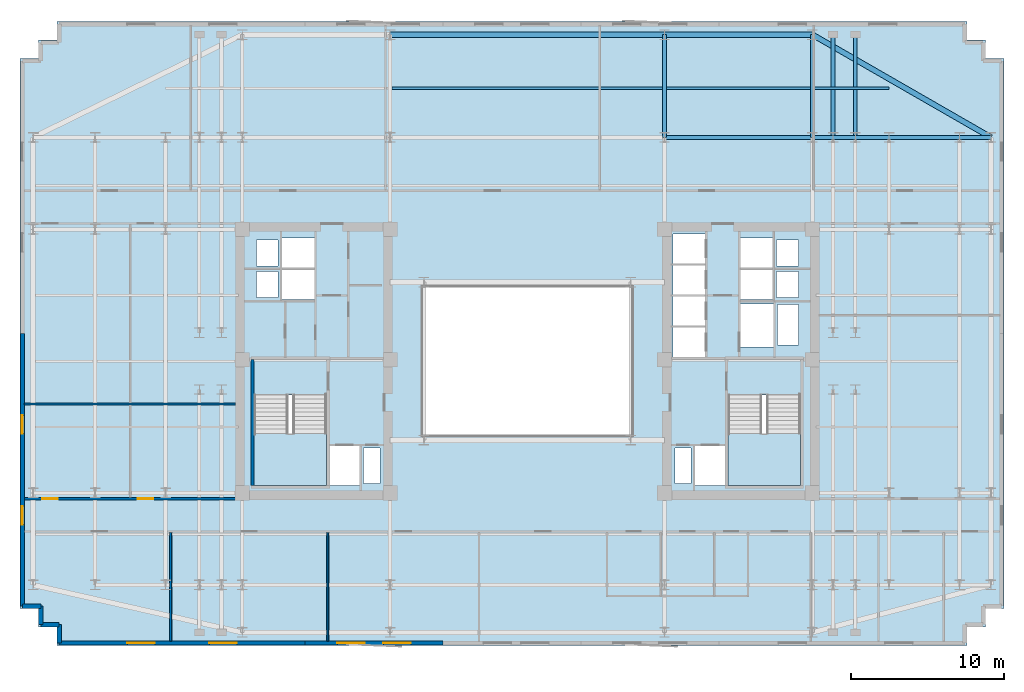
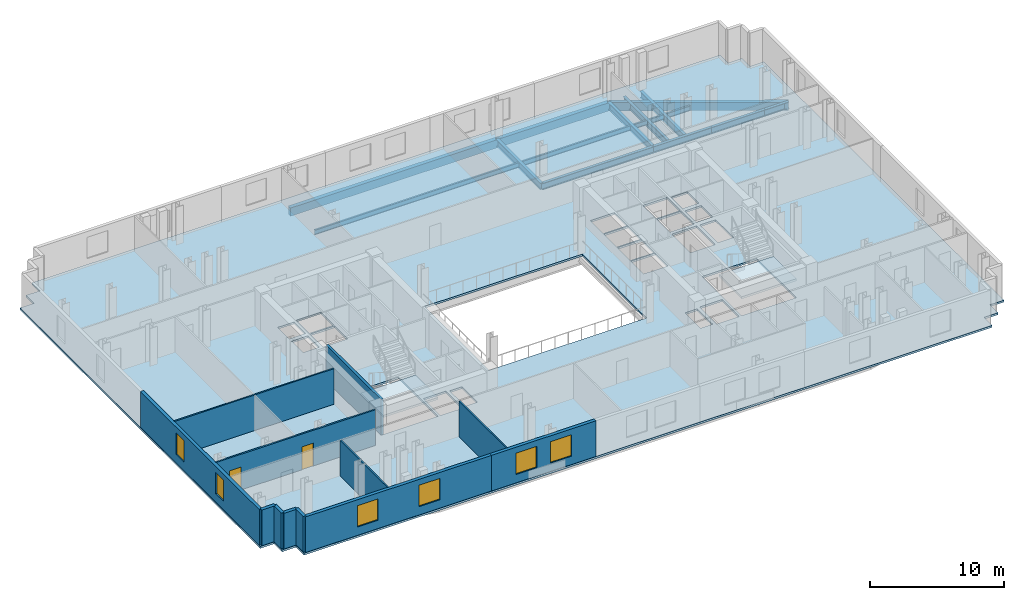
# One storey, part 3 of 9: 14 beams, 12 walls, 6 windows, 3 slabs, 2 doors, 8 openings, 2 elements without a shape of their own.
"""IFC4 building model written with IfcOpenShell, lengths in metres."""

import ifcopenshell
import ifcopenshell.guid

model = None  # the IFC model being written
_history = None  # IfcOwnerHistory: only IFC2X3 demands one
_inside = {}  # id of a spatial element -> (the spatial element, [elements in it])
_under = {}  # id of a project, library or spatial element -> (it, [spatial elements below it])
_declared = {}  # id of a project -> (the project, [libraries it declares])
_typed = {}  # id of a type object -> (the type object, [elements of that type])
_made_of = {}  # id of a material, layer set ... -> (it, [elements and type objects made of it])


def new_model(schema):
    """Start an empty IFC model of exactly this schema.

    Asked for "IFC4X3", IfcOpenShell would pick the latest addendum, in which some entities
    have other attributes; the version numbers below select the first issue.
    IFC2X3 requires an IfcOwnerHistory on every rooted entity: one is made here for all.
    """
    global model, _history
    if schema == "IFC4X3":
        model = ifcopenshell.file(schema_version=(4, 3, 0, 0))
    else:
        model = ifcopenshell.file(schema=schema)
    _inside.clear()
    _under.clear()
    _declared.clear()
    _typed.clear()
    _made_of.clear()
    _history = None
    if model.schema == "IFC2X3":
        org = make("IfcOrganization", Name="unknown")
        user = make(
            "IfcPersonAndOrganization",
            ThePerson=make("IfcPerson", FamilyName="unknown"),
            TheOrganization=org,
        )
        app = make(
            "IfcApplication",
            ApplicationDeveloper=org,
            Version="unknown",
            ApplicationFullName="unknown",
            ApplicationIdentifier="unknown",
        )
        _history = make(
            "IfcOwnerHistory",
            OwningUser=user,
            OwningApplication=app,
            ChangeAction="ADDED",
            CreationDate=0,
        )
    return model


def make(cls, **values):
    """One entity of the class cls with the attributes given. An attribute that is None is left unset."""
    return model.create_entity(
        cls, **{name: value for name, value in values.items() if value is not None}
    )


def rooted(cls, **values):
    """An entity with a GlobalId (a new one), such as an element, a storey or a relation."""
    return make(cls, GlobalId=ifcopenshell.guid.new(), OwnerHistory=_history, **values)


def si_unit(unit_type, name, prefix=None):
    """IfcSIUnit, for example si_unit("LENGTHUNIT", "METRE", prefix="MILLI")."""
    return make("IfcSIUnit", UnitType=unit_type, Prefix=prefix, Name=name)


def assignment(units):
    """IfcUnitAssignment: the units of a project."""
    return None if units is None else make("IfcUnitAssignment", Units=units)


def point(xyz):
    """IfcCartesianPoint."""
    return None if xyz is None else make("IfcCartesianPoint", Coordinates=xyz)


def direction(xyz):
    """IfcDirection."""
    return None if xyz is None else make("IfcDirection", DirectionRatios=xyz)


def frame(location, z_axis=None, x_axis=None):
    """IfcAxis2Placement3D, a coordinate frame: its origin and axes. An axis left out is left unset."""
    return make(
        "IfcAxis2Placement3D",
        Location=point(location),
        Axis=direction(z_axis),
        RefDirection=direction(x_axis),
    )


def frame_2d(location, x_axis=None):
    """IfcAxis2Placement2D, a coordinate frame in the plane: its origin and x axis."""
    return make(
        "IfcAxis2Placement2D", Location=point(location), RefDirection=direction(x_axis)
    )


def origin():
    """The frame at (0, 0, 0) with its axes left unset."""
    return frame((0.0, 0.0, 0.0))


def origin_2d():
    """The frame at (0, 0) in the plane with its x axis left unset."""
    return frame_2d((0.0, 0.0))


def place(relative_to, where):
    """IfcLocalPlacement: puts the frame where relative to a parent placement (None: the world)."""
    return make(
        "IfcLocalPlacement", PlacementRelTo=relative_to, RelativePlacement=where
    )


def context(
    kind, dimensions, precision=None, world=None, true_north=None, identifier=None
):
    """IfcGeometricRepresentationContext, for example the 3D "Model" context."""
    return make(
        "IfcGeometricRepresentationContext",
        ContextIdentifier=identifier,
        ContextType=kind,
        CoordinateSpaceDimension=dimensions,
        Precision=precision,
        WorldCoordinateSystem=world,
        TrueNorth=true_north,
    )


def subcontext(parent, identifier, kind, view, scale=None):
    """IfcGeometricRepresentationSubContext, for example "Body" below "Model"."""
    return make(
        "IfcGeometricRepresentationSubContext",
        ContextIdentifier=identifier,
        ContextType=kind,
        ParentContext=parent,
        TargetScale=scale,
        TargetView=view,
    )


def project(units=None, contexts=None):
    """IfcProject with its units and contexts."""
    return rooted(
        "IfcProject",
        Name="project",
        RepresentationContexts=contexts,
        UnitsInContext=assignment(units),
    )


def spatial(cls, under=None, at=None, **own):
    """A site, building, storey or space (cls), placed at a placement, below another one or the project."""
    s = rooted(cls, ObjectPlacement=at, **own)
    if under is not None:
        _under.setdefault(under.id(), (under, []))[1].append(s)
    return s


def polyline(points):
    """IfcPolyline through the points."""
    return make("IfcPolyline", Points=[point(p) for p in points])


def profile(cls, at=None, kind="AREA", **sizes):
    """A parametric profile (cls). Its sizes go by their IFC names, for example OverallWidth=200.0."""
    return make(cls, ProfileType=kind, Position=at, **sizes)


def rectangle(**sizes):
    """IfcRectangleProfileDef."""
    return profile("IfcRectangleProfileDef", **sizes)


def i_section(**sizes):
    """IfcIShapeProfileDef."""
    return profile("IfcIShapeProfileDef", **sizes)


def outline(outer, holes=None, kind="AREA"):
    """IfcArbitraryClosedProfileDef: a profile drawn as a closed curve; with holes, ...WithVoids."""
    if holes is None:
        return make("IfcArbitraryClosedProfileDef", ProfileType=kind, OuterCurve=outer)
    return make(
        "IfcArbitraryProfileDefWithVoids",
        ProfileType=kind,
        OuterCurve=outer,
        InnerCurves=holes,
    )


def extrude(swept, where, along, depth):
    """IfcExtrudedAreaSolid: the profile swept, set in the frame where, extruded along a direction by depth."""
    return make(
        "IfcExtrudedAreaSolid",
        SweptArea=swept,
        Position=where,
        ExtrudedDirection=direction(along),
        Depth=depth,
    )


def shape(context_of_items, identifier, shape_type, items):
    """IfcShapeRepresentation: the items that make up one representation, for example the "Body"."""
    return make(
        "IfcShapeRepresentation",
        ContextOfItems=context_of_items,
        RepresentationIdentifier=identifier,
        RepresentationType=shape_type,
        Items=items,
    )


def material(Name=None, Category=None):
    """IfcMaterial."""
    return make("IfcMaterial", Name=Name, Category=Category)


def layer(
    of_material, thickness, ventilated=None, Name=None, Category=None, Priority=None
):
    """IfcMaterialLayer: one layer of a wall or slab, of a material (None: an air gap)."""
    return make(
        "IfcMaterialLayer",
        Material=of_material,
        LayerThickness=thickness,
        IsVentilated=ventilated,
        Name=Name,
        Category=Category,
        Priority=Priority,
    )


def layer_set(layers, Name=None):
    """IfcMaterialLayerSet."""
    return make("IfcMaterialLayerSet", MaterialLayers=layers, LayerSetName=Name)


def material_profile(
    of_material, cross_section, Name=None, Category=None, Priority=None
):
    """IfcMaterialProfile: a cross section and its material."""
    return make(
        "IfcMaterialProfile",
        Name=Name,
        Material=of_material,
        Profile=cross_section,
        Priority=Priority,
        Category=Category,
    )


def profile_set(profiles, Name=None, composite=None):
    """IfcMaterialProfileSet."""
    return make(
        "IfcMaterialProfileSet",
        Name=Name,
        MaterialProfiles=profiles,
        CompositeProfile=composite,
    )


def made_of(thing, what):
    """Note that an element or type object is made of a material, layer set ...; save() writes the relation."""
    if what is not None:
        _made_of.setdefault(what.id(), (what, []))[1].append(thing)
    return thing


def type_object(cls, material=None, **own):
    """A type object (cls), such as IfcWallType, which elements share."""
    return made_of(rooted(cls, **own), material)


def element(
    cls,
    number,
    at=None,
    inside=None,
    cuts=None,
    type_object=None,
    material=None,
    context=None,
    identifier="Body",
    shape_type=None,
    held_by="IfcProductDefinitionShape",
    body=None,
    shapes=None,
    **own,
):
    """One element of the class cls, such as IfcWall. Its Tag is "e" and its number.

    at: its placement. inside: the storey or other place that contains it. cuts: it is an
    opening in that element (IfcRelVoidsElement). A single representation is given by context,
    identifier, shape_type and body (its items); several are given by shapes. held_by: the class
    of the entity that holds the representations. save() writes the other relations.
    """
    e = rooted(cls, Tag="e%d" % number, ObjectPlacement=at, **own)
    if body is not None:
        shapes = [shape(context, identifier, shape_type, body)]
    if shapes is not None:
        e.Representation = make(held_by, Representations=shapes)
    if inside is not None:
        _inside.setdefault(inside.id(), (inside, []))[1].append(e)
    if cuts is not None:
        rooted(
            "IfcRelVoidsElement", RelatingBuildingElement=cuts, RelatedOpeningElement=e
        )
    if type_object is not None:
        _typed.setdefault(type_object.id(), (type_object, []))[1].append(e)
    return made_of(e, material)


def fill(opening, filler):
    """IfcRelFillsElement: the door or window that sits in an opening."""
    return rooted(
        "IfcRelFillsElement",
        RelatingOpeningElement=opening,
        RelatedBuildingElement=filler,
    )


def aggregate(whole, parts):
    """IfcRelAggregates: a whole, such as a stair, and the parts it consists of."""
    return rooted("IfcRelAggregates", RelatingObject=whole, RelatedObjects=parts)


def save(model, path):
    """Write the relations noted so far, then the file.

    IfcRelAggregates (storeys below a building ...), IfcRelContainedInSpatialStructure (elements
    in a storey), IfcRelDefinesByType, IfcRelAssociatesMaterial and IfcRelDeclares: one each for
    every whole, place, type object, material and project.
    """
    for whole, parts in _under.values():
        aggregate(whole, parts)
    for where, things in _inside.values():
        rooted(
            "IfcRelContainedInSpatialStructure",
            RelatedElements=things,
            RelatingStructure=where,
        )
    for kind, things in _typed.values():
        rooted("IfcRelDefinesByType", RelatedObjects=things, RelatingType=kind)
    for what, things in _made_of.values():
        rooted("IfcRelAssociatesMaterial", RelatedObjects=things, RelatingMaterial=what)
    for by, libraries in _declared.values():
        rooted("IfcRelDeclares", RelatingContext=by, RelatedDefinitions=libraries)
    model.write(path)


model = new_model("IFC4")

# Units and contexts
model_context = context("Model", 3, precision=1e-05, world=origin(), true_north=direction((0.0, 1.0)))
body_context = subcontext(model_context, "Body", "Model", "MODEL_VIEW")
ifc_project = project(units=[si_unit("LENGTHUNIT", "METRE"), si_unit("AREAUNIT", "SQUARE_METRE"), si_unit("VOLUMEUNIT", "CUBIC_METRE"), si_unit("PLANEANGLEUNIT", "RADIAN"), si_unit("MASSUNIT", "GRAM", prefix="KILO")], contexts=[model_context])

# Site, building, storey
site_placement = place(None, origin())
site = spatial("IfcSite", under=ifc_project, at=site_placement, CompositionType="ELEMENT")
building_placement = place(site_placement, origin())
building = spatial("IfcBuilding", under=site, at=building_placement, Name="Velakula Bourse", CompositionType="ELEMENT")
storey_placement = place(building_placement, frame((0.0, 0.0, 131.199951171875)))
storey = spatial("IfcBuildingStorey", under=building, at=storey_placement, Name="L35", CompositionType="ELEMENT", Elevation=131.199951171875)

# Beams
ifc_material_1 = material(Name="Steel IS 2062 Grade 350 (E350)", Category="steel")
ifc_material_profile_1 = material_profile(ifc_material_1, i_section(OverallWidth=0.25, OverallDepth=0.60009765625, WebThickness=0.01123046875, FlangeThickness=0.021240234375, at=origin_2d()), Name="Steel IS 2062 Grade 350 (E350)")
ifc_profile_set_1 = profile_set([ifc_material_profile_1], Name="Steel IS 2062 Grade 350 (E350)")
beam_type_1 = type_object("IfcBeamType", Name="BM-GRD-600M", PredefinedType="BEAM", material=ifc_profile_set_1)
beam_1_placement = place(storey_placement, frame((8.949951171875, 14.60009765625, -0.47998046875), z_axis=(1.0, 0.0, 0.0), x_axis=(0.0, 1.0, 0.0)))
element("IfcBeam", 1, at=beam_1_placement, inside=storey, type_object=beam_type_1, Name="L35 Fulcrum Grid Girder FLC-N3", PredefinedType="BEAM", context=body_context, shape_type="SweptSolid", body=[
    extrude(i_section(OverallWidth=0.25, OverallDepth=0.60009765625, WebThickness=0.01123046875, FlangeThickness=0.021240234375, at=origin_2d()), origin(), (0.0, 0.0, 1.0), 9.650146484375),
])
beam_2_placement = place(storey_placement, frame((18.60009765625, 14.60009765625, -0.47998046875), z_axis=(1.0, 0.0, 0.0), x_axis=(0.0, 1.0, 0.0)))
element("IfcBeam", 2, at=beam_2_placement, inside=storey, type_object=beam_type_1, Name="L35 Fulcrum Grid Girder MWG-EN2", PredefinedType="BEAM", context=body_context, shape_type="SweptSolid", body=[
    extrude(i_section(OverallWidth=0.25, OverallDepth=0.60009765625, WebThickness=0.01123046875, FlangeThickness=0.021240234375, at=origin_2d()), origin(), (0.0, 0.0, 1.0), 5.0),
])
beam_3_placement = place(storey_placement, frame((23.60009765625, 14.60009765625, -0.47998046875), z_axis=(1.0, 0.0, 0.0), x_axis=(0.0, 1.0, 0.0)))
element("IfcBeam", 3, at=beam_3_placement, inside=storey, type_object=beam_type_1, Name="L35 Fulcrum Grid Girder WNG-EN2", PredefinedType="BEAM", context=body_context, shape_type="SweptSolid", body=[
    extrude(i_section(OverallWidth=0.25, OverallDepth=0.60009765625, WebThickness=0.01123046875, FlangeThickness=0.021240234375, at=origin_2d()), origin(), (0.0, 0.0, 1.0), 4.599853515625),
])
for number, where, z_axis, x_axis, name in (
    (4, (8.949951171875, 14.60009765625, -0.47998046875), (0.0, 1.0, 0.0), (-1.0, 0.0, 0.0), "L35 Perimeter Tie Girder N3"),
    (5, (18.60009765625, 14.60009765625, -0.47998046875), (0.0, 1.0, 0.0), (-1.0, 0.0, 0.0), "L35 Perimeter Tie Girder N4"),
):
    element("IfcBeam", number, at=place(storey_placement, frame(where, z_axis=z_axis, x_axis=x_axis)), inside=storey, type_object=beam_type_1, Name=name, PredefinedType="BEAM", context=body_context, shape_type="SweptSolid", body=[
        extrude(i_section(OverallWidth=0.25, OverallDepth=0.60009765625, WebThickness=0.01123046875, FlangeThickness=0.021240234375, at=origin_2d()), origin(), (0.0, 0.0, 1.0), 6.699951171875),
    ])
beam_4_placement = place(storey_placement, frame((28.199951171875, 14.60009765625, -0.47998046875), z_axis=(1.0, 0.0, 0.0), x_axis=(0.0, 1.0, 0.0)))
element("IfcBeam", 6, at=beam_4_placement, inside=storey, type_object=beam_type_1, Name="L35 Perimeter Tie Girder E4", PredefinedType="BEAM", context=body_context, shape_type="SweptSolid", body=[
    extrude(i_section(OverallWidth=0.25, OverallDepth=0.60009765625, WebThickness=0.01123046875, FlangeThickness=0.021240234375, at=origin_2d()), origin(), (0.0, 0.0, 1.0), 2.050048828125),
])
for number, where, z_axis, x_axis, name in (
    (7, (19.949951171875, 14.60009765625, -0.47998046875), (0.0, 1.0, 0.0), (-1.0, 0.0, 0.0), "L35 Perimeter Tie Girder P07"),
    (8, (21.39990234375, 14.60009765625, -0.47998046875), (0.0, 1.0, 0.0), (-1.0, 0.0, 0.0), "L35 Perimeter Tie Girder P08"),
):
    element("IfcBeam", number, at=place(storey_placement, frame(where, z_axis=z_axis, x_axis=x_axis)), inside=storey, type_object=beam_type_1, Name=name, PredefinedType="BEAM", context=body_context, shape_type="SweptSolid", body=[
        extrude(i_section(OverallWidth=0.25, OverallDepth=0.60009765625, WebThickness=0.01123046875, FlangeThickness=0.021240234375, at=origin_2d()), origin(), (0.0, 0.0, 1.0), 6.699951171875),
    ])
ifc_material_profile_2 = material_profile(ifc_material_1, i_section(OverallWidth=0.14990234375, OverallDepth=0.449951171875, WebThickness=0.009521484375, FlangeThickness=0.017333984375, at=origin_2d()), Name="Steel IS 2062 Grade 350 (E350)")
ifc_profile_set_2 = profile_set([ifc_material_profile_2], Name="Steel IS 2062 Grade 350 (E350)")
beam_type_2 = type_object("IfcBeamType", Name="JST-TWR-450", PredefinedType="JOIST", material=ifc_profile_set_2)
beam_5_placement = place(storey_placement, frame((-8.824951171875, 17.800048828125, -0.405029296875), z_axis=(1.0, 0.0, 0.0), x_axis=(0.0, 1.0, 0.0)))
element("IfcBeam", 9, at=beam_5_placement, inside=storey, type_object=beam_type_2, Name="L35 Trading Floor Composite Joist 19", PredefinedType="JOIST", context=body_context, shape_type="SweptSolid", body=[
    extrude(i_section(OverallWidth=0.14990234375, OverallDepth=0.449951171875, WebThickness=0.009521484375, FlangeThickness=0.017333984375, at=origin_2d()), origin(), (0.0, 0.0, 1.0), 17.64990234375),
])
beam_6_placement = place(storey_placement, frame((9.074951171875, 17.800048828125, -0.405029296875), z_axis=(1.0, 0.0, 0.0), x_axis=(0.0, 1.0, 0.0)))
element("IfcBeam", 10, at=beam_6_placement, inside=storey, type_object=beam_type_2, Name="L35 Trading Floor Composite Joist 20", PredefinedType="JOIST", context=body_context, shape_type="SweptSolid", body=[
    extrude(i_section(OverallWidth=0.14990234375, OverallDepth=0.449951171875, WebThickness=0.009521484375, FlangeThickness=0.017333984375, at=origin_2d()), origin(), (0.0, 0.0, 1.0), 9.400146484375),
])
beam_7_placement = place(storey_placement, frame((18.72509765625, 17.800048828125, -0.405029296875), z_axis=(1.0, 0.0, 0.0), x_axis=(0.0, 1.0, 0.0)))
element("IfcBeam", 11, at=beam_7_placement, inside=storey, type_object=beam_type_2, Name="L35 Trading Floor Composite Joist 21", PredefinedType="JOIST", context=body_context, shape_type="SweptSolid", body=[
    extrude(i_section(OverallWidth=0.14990234375, OverallDepth=0.449951171875, WebThickness=0.009521484375, FlangeThickness=0.017333984375, at=origin_2d()), origin(), (0.0, 0.0, 1.0), 4.875),
])
ifc_material_2 = material(Name="Precast concrete M45 (fck 45 MPa)", Category="concrete")
ifc_material_profile_3 = material_profile(ifc_material_2, rectangle(XDim=0.35009765625, YDim=0.75, at=origin_2d()), Name="Precast concrete M45 (fck 45 MPa)")
ifc_profile_set_3 = profile_set([ifc_material_profile_3], Name="Precast concrete M45 (fck 45 MPa)")
beam_type_3 = type_object("IfcBeamType", Name="SPN-BRICK-750", PredefinedType="SPANDREL", material=ifc_profile_set_3)
beam_8_placement = place(storey_placement, frame((-8.949951171875, 21.300048828125, -0.554931640625), z_axis=(1.0, 0.0, 0.0), x_axis=(0.0, 1.0, 0.0)))
element("IfcBeam", 12, at=beam_8_placement, inside=storey, type_object=beam_type_3, Name="L35 Brick-Faced Precast Spandrel N2-N3", PredefinedType="SPANDREL", context=body_context, shape_type="SweptSolid", body=[
    extrude(rectangle(XDim=0.35009765625, YDim=0.75, at=origin_2d()), origin(), (0.0, 0.0, 1.0), 17.89990234375),
])
beam_9_placement = place(storey_placement, frame((8.949951171875, 21.300048828125, -0.554931640625), z_axis=(1.0, 0.0, 0.0), x_axis=(0.0, 1.0, 0.0)))
element("IfcBeam", 13, at=beam_9_placement, inside=storey, type_object=beam_type_3, Name="L35 Brick-Faced Precast Spandrel N3-N4", PredefinedType="SPANDREL", context=body_context, shape_type="SweptSolid", body=[
    extrude(rectangle(XDim=0.35009765625, YDim=0.75, at=origin_2d()), origin(), (0.0, 0.0, 1.0), 9.650146484375),
])
beam_10_placement = place(storey_placement, frame((30.25, 14.60009765625, -0.554931640625), z_axis=(-0.866865871572, 0.498541433286, 0.0), x_axis=(-0.498541433286, -0.866865871572, 0.0)))
element("IfcBeam", 14, at=beam_10_placement, inside=storey, type_object=beam_type_3, Name="L35 Brick-Faced Precast Spandrel E4-N4", PredefinedType="SPANDREL", context=body_context, shape_type="SweptSolid", body=[
    extrude(rectangle(XDim=0.35009765625, YDim=0.75, at=origin_2d()), origin(), (0.0, 0.0, 1.0), 13.439208984375),
])

# Stair, slab
ifc_material_3 = material(Name="Concrete M45 (fck 45 MPa)", Category="concrete")
stair_type = type_object("IfcStairType", Name="STR-DOG-390", PredefinedType="HALF_TURN_STAIR", material=ifc_material_3)
stair_1_placement = place(storey_placement, origin())
stair_1 = element("IfcStair", 15, at=stair_1_placement, inside=storey, type_object=stair_type, Name="L35 West Core Exit Stair ST-W1", PredefinedType="HALF_TURN_STAIR")
ifc_layer_1 = layer(ifc_material_3, 0.199951171875, Name="Concrete M45 (fck 45 MPa)", Category="concrete")
ifc_layer_set_1 = layer_set([ifc_layer_1], Name="Concrete M45 (fck 45 MPa)")
slab_type_1 = type_object("IfcSlabType", Name="SLB-STAIR-LND-200", PredefinedType="LANDING", material=ifc_layer_set_1)
slab_1_placement = place(storey_placement, frame((0.0, 0.0, 1.525146484375)))
slab_1 = element("IfcSlab", 16, at=slab_1_placement, type_object=slab_type_1, Name="ST-W1 landing 1", PredefinedType="LANDING", context=body_context, shape_type="SweptSolid", body=[
    extrude(outline(polyline([(-17.820068359375, -4.719970703125), (-17.820068359375, -8.10009765625), (-13.10009765625, -8.10009765625), (-13.10009765625, -4.719970703125), (-17.820068359375, -4.719970703125)])), origin(), (0.0, 0.0, 1.0), 0.199951171875),
])
aggregate(stair_1, [slab_1])

stair_2_placement = place(storey_placement, origin())
stair_2 = element("IfcStair", 17, at=stair_2_placement, inside=storey, type_object=stair_type, Name="L35 East Core Exit Stair ST-E1", PredefinedType="HALF_TURN_STAIR")
slab_2_placement = place(storey_placement, frame((0.0, 0.0, 1.525146484375)))
slab_2 = element("IfcSlab", 18, at=slab_2_placement, type_object=slab_type_1, Name="ST-E1 landing 1", PredefinedType="LANDING", context=body_context, shape_type="SweptSolid", body=[
    extrude(outline(polyline([(13.10009765625, -4.719970703125), (13.10009765625, -8.10009765625), (17.820068359375, -8.10009765625), (17.820068359375, -4.719970703125), (13.10009765625, -4.719970703125)])), origin(), (0.0, 0.0, 1.0), 0.199951171875),
])
aggregate(stair_2, [slab_2])

# Slab
ifc_material_4 = material(Name="Concrete M50 (fck 50 MPa)", Category="concrete")
ifc_layer_2 = layer(ifc_material_4, 0.179931640625, Name="Concrete M50 (fck 50 MPa)", Category="concrete")
ifc_layer_set_2 = layer_set([ifc_layer_2], Name="Concrete M50 (fck 50 MPa)")
slab_type_2 = type_object("IfcSlabType", Name="SLB-TWR-180", PredefinedType="FLOOR", material=ifc_layer_set_2)
slab_3_placement = place(storey_placement, frame((0.0, 0.0, -0.179931640625)))
element("IfcSlab", 19, at=slab_3_placement, inside=storey, type_object=slab_type_2, Name="L35 Suspended Structural Floor Slab", PredefinedType="FLOOR", context=body_context, shape_type="SweptSolid", body=[
    extrude(outline(polyline([(-30.699951171875, -18.550048828125), (28.699951171875, -18.550048828125), (28.699951171875, -17.35009765625), (29.89990234375, -17.35009765625), (29.89990234375, -16.14990234375), (31.10009765625, -16.14990234375), (31.10009765625, 19.75), (29.89990234375, 19.75), (29.89990234375, 20.949951171875), (28.699951171875, 20.949951171875), (28.699951171875, 22.14990234375), (-30.699951171875, 22.14990234375), (-30.699951171875, 20.949951171875), (-31.89990234375, 20.949951171875), (-31.89990234375, 19.75), (-33.10009765625, 19.75), (-33.10009765625, -16.14990234375), (-31.89990234375, -16.14990234375), (-31.89990234375, -17.35009765625), (-30.699951171875, -17.35009765625), (-30.699951171875, -18.550048828125)]), holes=[polyline([(-17.820068359375, -8.10009765625), (-13.10009765625, -8.10009765625), (-13.10009765625, -2.199951171875), (-17.820068359375, -2.199951171875), (-17.820068359375, -8.10009765625)]), polyline([(13.10009765625, -8.10009765625), (17.820068359375, -8.10009765625), (17.820068359375, -2.199951171875), (13.10009765625, -2.199951171875), (13.10009765625, -8.10009765625)]), polyline([(-12.89990234375, -8.10009765625), (-10.949951171875, -8.10009765625), (-10.949951171875, -5.550048828125), (-12.89990234375, -5.550048828125), (-12.89990234375, -8.10009765625)]), polyline([(10.949951171875, -8.10009765625), (12.89990234375, -8.10009765625), (12.89990234375, -5.550048828125), (10.949951171875, -5.550048828125), (10.949951171875, -8.10009765625)]), polyline([(13.89990234375, 0.919921875), (16.050048828125, 0.919921875), (16.050048828125, 3.719970703125), (13.89990234375, 3.719970703125), (13.89990234375, 0.919921875)]), polyline([(-10.679931640625, -7.97998046875), (-9.6201171875, -7.97998046875), (-9.6201171875, -5.669921875), (-10.679931640625, -5.669921875), (-10.679931640625, -7.97998046875)]), polyline([(-17.679931640625, 4.139892578125), (-16.27001953125, 4.139892578125), (-16.27001953125, 5.85009765625), (-17.679931640625, 5.85009765625), (-17.679931640625, 4.139892578125)]), polyline([(-17.679931640625, 6.2099609375), (-16.27001953125, 6.2099609375), (-16.27001953125, 7.919921875), (-17.679931640625, 7.919921875), (-17.679931640625, 6.2099609375)]), polyline([(9.6201171875, -7.97998046875), (10.679931640625, -7.97998046875), (10.679931640625, -5.669921875), (9.6201171875, -5.669921875), (9.6201171875, -7.97998046875)]), polyline([(16.27001953125, 4.139892578125), (17.679931640625, 4.139892578125), (17.679931640625, 5.85009765625), (16.27001953125, 5.85009765625), (16.27001953125, 4.139892578125)]), polyline([(16.27001953125, 6.2099609375), (17.679931640625, 6.2099609375), (17.679931640625, 7.919921875), (16.27001953125, 7.919921875), (16.27001953125, 6.2099609375)]), polyline([(16.320068359375, 1.0400390625), (17.679931640625, 1.0400390625), (17.679931640625, 3.699951171875), (16.320068359375, 3.699951171875), (16.320068359375, 1.0400390625)]), polyline([(9.5, 0.280029296875), (11.60009765625, 0.280029296875), (11.60009765625, 2.199951171875), (9.5, 2.199951171875), (9.5, 0.280029296875)]), polyline([(9.5, 2.31005859375), (11.60009765625, 2.31005859375), (11.60009765625, 4.22998046875), (9.5, 4.22998046875), (9.5, 2.31005859375)]), polyline([(9.5, 4.340087890625), (11.60009765625, 4.340087890625), (11.60009765625, 6.260009765625), (9.5, 6.260009765625), (9.5, 4.340087890625)]), polyline([(9.5, 6.3701171875), (11.60009765625, 6.3701171875), (11.60009765625, 8.2900390625), (9.5, 8.2900390625), (9.5, 6.3701171875)]), polyline([(-16.0, 4.02001953125), (-13.89990234375, 4.02001953125), (-13.89990234375, 5.969970703125), (-16.0, 5.969970703125), (-16.0, 4.02001953125)]), polyline([(-16.0, 6.090087890625), (-13.89990234375, 6.090087890625), (-13.89990234375, 8.0400390625), (-16.0, 8.0400390625), (-16.0, 6.090087890625)]), polyline([(13.89990234375, 4.02001953125), (16.0, 4.02001953125), (16.0, 5.969970703125), (13.89990234375, 5.969970703125), (13.89990234375, 4.02001953125)]), polyline([(13.89990234375, 6.090087890625), (16.0, 6.090087890625), (16.0, 8.0400390625), (13.89990234375, 8.0400390625), (13.89990234375, 6.090087890625)]), polyline([(-6.800048828125, -4.800048828125), (6.800048828125, -4.800048828125), (6.800048828125, 4.800048828125), (-6.800048828125, 4.800048828125), (-6.800048828125, -4.800048828125)])]), origin(), (0.0, 0.0, 1.0), 0.179931640625),
])

# Wall
ifc_layer_3 = layer(ifc_material_4, 0.2099609375, Name="Concrete M50 (fck 50 MPa)", Category="concrete")
ifc_layer_set_3 = layer_set([ifc_layer_3], Name="Concrete M50 (fck 50 MPa)")
wall_type_1 = type_object("IfcWallType", Name="WL-CORE-210", PredefinedType="SHEAR", material=ifc_layer_set_3)
wall_1_placement = place(storey_placement, frame((-17.925048828125, -8.10009765625, 0.0), z_axis=(0.0, 0.0, 1.0), x_axis=(0.0, 1.0, 0.0)))
element("IfcWall", 20, at=wall_1_placement, inside=storey, type_object=wall_type_1, Name="L35 Core W Stairwell Shear Wall OUT", PredefinedType="SHEAR", context=body_context, shape_type="SweptSolid", body=[
    extrude(rectangle(XDim=8.2001953125, YDim=0.2099609375, at=frame_2d((4.10009765625, 0.0))), origin(), (0.0, 0.0, 1.0), 3.27001953125),
])

# Wall, openings, windows
ifc_material_5 = material(Name="Red kilned clay facing brick masonry", Category="masonry")
ifc_layer_4 = layer(ifc_material_5, 0.280029296875, Name="Red kilned clay facing brick masonry", Category="masonry")
ifc_layer_set_4 = layer_set([ifc_layer_4], Name="Red kilned clay facing brick masonry")
wall_type_2 = type_object("IfcWallType", Name="WL-EXT-BRK-280", PredefinedType="STANDARD", material=ifc_layer_set_4)
wall_2_placement = place(storey_placement, frame((-14.5, -18.389892578125, 0.0), z_axis=(0.0, 0.0, 1.0), x_axis=(-1.0, 0.0, 0.0)))
wall_2 = element("IfcWall", 21, at=wall_2_placement, inside=storey, type_object=wall_type_2, Name="L35 S Brick Spandrel Wall B1", PredefinedType="STANDARD", context=body_context, shape_type="SweptSolid", body=[
    extrude(rectangle(XDim=16.0400390625, YDim=0.280029296875, at=frame_2d((8.02001953125, 0.0))), origin(), (0.0, 0.0, 1.0), 3.25),
])
opening_1_placement = place(wall_2_placement, frame((4.44677734375, 0.0, 0.760009765625)))
opening_1 = element("IfcOpeningElement", 22, at=opening_1_placement, cuts=wall_2, Name="Opening W-01", PredefinedType="OPENING", context=body_context, shape_type="SweptSolid", body=[
    extrude(rectangle(XDim=1.800048828125, YDim=1.949951171875, at=frame_2d((0.89990234375, 0.97509765625))), frame((0.0, 0.14990234375, 0.0), z_axis=(0.0, -1.0, 0.0), x_axis=(1.0, 0.0, 0.0)), (0.0, 0.0, 1.0), 0.300048828125),
])
opening_2_placement = place(wall_2_placement, frame((9.793212890625, 0.0, 0.760009765625)))
opening_2 = element("IfcOpeningElement", 23, at=opening_2_placement, cuts=wall_2, Name="Opening W-01", PredefinedType="OPENING", context=body_context, shape_type="SweptSolid", body=[
    extrude(rectangle(XDim=1.800048828125, YDim=1.949951171875, at=frame_2d((0.89990234375, 0.97509765625))), frame((0.0, 0.14990234375, 0.0), z_axis=(0.0, -1.0, 0.0), x_axis=(1.0, 0.0, 0.0)), (0.0, 0.0, 1.0), 0.300048828125),
])
ifc_material_6 = material(Name="Double-glazed solar-control Low-E glass", Category="glass")
window_type_1 = type_object("IfcWindowType", Name="WIN-TWR-1800x2100", PartitioningType="SINGLE_PANEL", PredefinedType="WINDOW", material=ifc_material_6)
window_1_placement = place(opening_1_placement, origin())
window_1 = element("IfcWindow", 24, at=window_1_placement, inside=storey, type_object=window_type_1, Name="L35 Deep-Set Recessed Window 1", OverallHeight=1.949951171875, OverallWidth=1.800048828125, PartitioningType="SINGLE_PANEL", PredefinedType="WINDOW", context=body_context, shape_type="SweptSolid", body=[
    extrude(rectangle(XDim=1.800048828125, YDim=1.949951171875, at=frame_2d((0.89990234375, 0.97509765625))), frame((0.0, 0.030029296875, 0.0), z_axis=(0.0, -1.0, 0.0), x_axis=(1.0, 0.0, 0.0)), (0.0, 0.0, 1.0), 0.06005859375),
])
fill(opening_1, window_1)
window_2_placement = place(opening_2_placement, origin())
window_2 = element("IfcWindow", 25, at=window_2_placement, inside=storey, type_object=window_type_1, Name="L35 Deep-Set Recessed Window 2", OverallHeight=1.949951171875, OverallWidth=1.800048828125, PartitioningType="SINGLE_PANEL", PredefinedType="WINDOW", context=body_context, shape_type="SweptSolid", body=[
    extrude(rectangle(XDim=1.800048828125, YDim=1.949951171875, at=frame_2d((0.89990234375, 0.97509765625))), frame((0.0, 0.030029296875, 0.0), z_axis=(0.0, -1.0, 0.0), x_axis=(1.0, 0.0, 0.0)), (0.0, 0.0, 1.0), 0.06005859375),
])
fill(opening_2, window_2)

wall_3_placement = place(storey_placement, frame((-5.5, -18.389892578125, 0.0), z_axis=(0.0, 0.0, 1.0), x_axis=(-1.0, 0.0, 0.0)))
wall_3 = element("IfcWall", 26, at=wall_3_placement, inside=storey, type_object=wall_type_2, Name="L35 S Brick Spandrel Wall B2", PredefinedType="STANDARD", context=body_context, shape_type="SweptSolid", body=[
    extrude(rectangle(XDim=9.0, YDim=0.280029296875, at=frame_2d((4.5, 0.0))), origin(), (0.0, 0.0, 1.0), 3.25),
])
opening_3_placement = place(wall_3_placement, frame((2.10009765625, 0.0, 0.760009765625)))
opening_3 = element("IfcOpeningElement", 27, at=opening_3_placement, cuts=wall_3, Name="Opening W-01", PredefinedType="OPENING", context=body_context, shape_type="SweptSolid", body=[
    extrude(rectangle(XDim=1.800048828125, YDim=1.949951171875, at=frame_2d((0.89990234375, 0.97509765625))), frame((0.0, 0.14990234375, 0.0), z_axis=(0.0, -1.0, 0.0), x_axis=(1.0, 0.0, 0.0)), (0.0, 0.0, 1.0), 0.300048828125),
])
opening_4_placement = place(wall_3_placement, frame((5.10009765625, 0.0, 0.760009765625)))
opening_4 = element("IfcOpeningElement", 28, at=opening_4_placement, cuts=wall_3, Name="Opening W-01", PredefinedType="OPENING", context=body_context, shape_type="SweptSolid", body=[
    extrude(rectangle(XDim=1.800048828125, YDim=1.949951171875, at=frame_2d((0.89990234375, 0.97509765625))), frame((0.0, 0.14990234375, 0.0), z_axis=(0.0, -1.0, 0.0), x_axis=(1.0, 0.0, 0.0)), (0.0, 0.0, 1.0), 0.300048828125),
])
window_3_placement = place(opening_3_placement, origin())
window_3 = element("IfcWindow", 29, at=window_3_placement, inside=storey, type_object=window_type_1, Name="L35 Deep-Set Recessed Window 1", OverallHeight=1.949951171875, OverallWidth=1.800048828125, PartitioningType="SINGLE_PANEL", PredefinedType="WINDOW", context=body_context, shape_type="SweptSolid", body=[
    extrude(rectangle(XDim=1.800048828125, YDim=1.949951171875, at=frame_2d((0.89990234375, 0.97509765625))), frame((0.0, 0.030029296875, 0.0), z_axis=(0.0, -1.0, 0.0), x_axis=(1.0, 0.0, 0.0)), (0.0, 0.0, 1.0), 0.06005859375),
])
fill(opening_3, window_3)
window_4_placement = place(opening_4_placement, origin())
window_4 = element("IfcWindow", 30, at=window_4_placement, inside=storey, type_object=window_type_1, Name="L35 Deep-Set Recessed Window 2", OverallHeight=1.949951171875, OverallWidth=1.800048828125, PartitioningType="SINGLE_PANEL", PredefinedType="WINDOW", context=body_context, shape_type="SweptSolid", body=[
    extrude(rectangle(XDim=1.800048828125, YDim=1.949951171875, at=frame_2d((0.89990234375, 0.97509765625))), frame((0.0, 0.030029296875, 0.0), z_axis=(0.0, -1.0, 0.0), x_axis=(1.0, 0.0, 0.0)), (0.0, 0.0, 1.0), 0.06005859375),
])
fill(opening_4, window_4)

wall_4_placement = place(storey_placement, frame((-32.93994140625, -15.989990234375, 0.0), z_axis=(0.0, 0.0, 1.0), x_axis=(0.0, 1.0, 0.0)))
wall_4 = element("IfcWall", 31, at=wall_4_placement, inside=storey, type_object=wall_type_2, Name="L35 W Brick End Wall W1", PredefinedType="STANDARD", context=body_context, shape_type="SweptSolid", body=[
    extrude(rectangle(XDim=17.7900390625, YDim=0.280029296875, at=frame_2d((8.89501953125, 0.0))), origin(), (0.0, 0.0, 1.0), 3.25),
])
opening_5_placement = place(wall_4_placement, frame((5.330078125, 0.0, 0.760009765625)))
opening_5 = element("IfcOpeningElement", 32, at=opening_5_placement, cuts=wall_4, Name="Opening W-04", PredefinedType="OPENING", context=body_context, shape_type="SweptSolid", body=[
    extrude(rectangle(XDim=1.199951171875, YDim=1.949951171875, at=frame_2d((0.60009765625, 0.97509765625))), frame((0.0, 0.14990234375, 0.0), z_axis=(0.0, -1.0, 0.0), x_axis=(1.0, 0.0, 0.0)), (0.0, 0.0, 1.0), 0.300048828125),
])
opening_6_placement = place(wall_4_placement, frame((11.260009765625, 0.0, 0.760009765625)))
opening_6 = element("IfcOpeningElement", 33, at=opening_6_placement, cuts=wall_4, Name="Opening W-04", PredefinedType="OPENING", context=body_context, shape_type="SweptSolid", body=[
    extrude(rectangle(XDim=1.199951171875, YDim=1.949951171875, at=frame_2d((0.60009765625, 0.97509765625))), frame((0.0, 0.14990234375, 0.0), z_axis=(0.0, -1.0, 0.0), x_axis=(1.0, 0.0, 0.0)), (0.0, 0.0, 1.0), 0.300048828125),
])
window_type_2 = type_object("IfcWindowType", Name="WIN-TWR-1200x2100", PartitioningType="SINGLE_PANEL", PredefinedType="WINDOW", material=ifc_material_6)
window_5_placement = place(opening_5_placement, origin())
window_5 = element("IfcWindow", 34, at=window_5_placement, inside=storey, type_object=window_type_2, Name="L35 Deep-Set Recessed Window 1", OverallHeight=1.949951171875, OverallWidth=1.199951171875, PartitioningType="SINGLE_PANEL", PredefinedType="WINDOW", context=body_context, shape_type="SweptSolid", body=[
    extrude(rectangle(XDim=1.199951171875, YDim=1.949951171875, at=frame_2d((0.60009765625, 0.97509765625))), frame((0.0, 0.030029296875, 0.0), z_axis=(0.0, -1.0, 0.0), x_axis=(1.0, 0.0, 0.0)), (0.0, 0.0, 1.0), 0.06005859375),
])
fill(opening_5, window_5)
window_6_placement = place(opening_6_placement, origin())
window_6 = element("IfcWindow", 35, at=window_6_placement, inside=storey, type_object=window_type_2, Name="L35 Deep-Set Recessed Window 2", OverallHeight=1.949951171875, OverallWidth=1.199951171875, PartitioningType="SINGLE_PANEL", PredefinedType="WINDOW", context=body_context, shape_type="SweptSolid", body=[
    extrude(rectangle(XDim=1.199951171875, YDim=1.949951171875, at=frame_2d((0.60009765625, 0.97509765625))), frame((0.0, 0.030029296875, 0.0), z_axis=(0.0, -1.0, 0.0), x_axis=(1.0, 0.0, 0.0)), (0.0, 0.0, 1.0), 0.06005859375),
])
fill(opening_6, window_6)

# Walls
for number, where, z_axis, x_axis, name in (
    (36, (-32.93994140625, -15.989990234375, 0.0), (0.0, 0.0, 1.0), (1.0, 0.0, 0.0), "L35 Serrated Corner Brick Wall SW-1"),
    (37, (-31.739990234375, -15.989990234375, 0.0), (0.0, 0.0, 1.0), (0.0, -1.0, 0.0), "L35 Serrated Corner Brick Wall SW-2"),
    (38, (-31.739990234375, -17.18994140625, 0.0), (0.0, 0.0, 1.0), (1.0, 0.0, 0.0), "L35 Serrated Corner Brick Wall SW-3"),
    (39, (-30.5400390625, -17.18994140625, 0.0), (0.0, 0.0, 1.0), (0.0, -1.0, 0.0), "L35 Serrated Corner Brick Wall SW-4"),
):
    element("IfcWall", number, at=place(storey_placement, frame(where, z_axis=z_axis, x_axis=x_axis)), inside=storey, type_object=wall_type_2, Name=name, PredefinedType="STANDARD", context=body_context, shape_type="SweptSolid", body=[
        extrude(rectangle(XDim=1.199951171875, YDim=0.280029296875, at=frame_2d((0.60009765625, 0.0))), origin(), (0.0, 0.0, 1.0), 3.25),
    ])
ifc_material_7 = material(Name="Fire-rated double-layer gypsum drywall partition", Category="gypsum")
ifc_layer_5 = layer(ifc_material_7, 0.1201171875, Name="Fire-rated double-layer gypsum drywall partition", Category="gypsum")
ifc_layer_set_5 = layer_set([ifc_layer_5], Name="Fire-rated double-layer gypsum drywall partition")
wall_type_3 = type_object("IfcWallType", Name="WL-PART-120", PredefinedType="STANDARD", material=ifc_layer_set_5)
for number, where, z_axis, x_axis, name in (
    (40, (-23.27001953125, -18.27001953125, 0.0), (0.0, 0.0, 1.0), (0.0, 1.0, 0.0), "L35 Interior Partition WL-INT-L35-SL-D5"),
    (41, (-13.02099609375, -18.27001953125, 0.0), (0.0, 0.0, 1.0), (0.0, 1.0, 0.0), "L35 Interior Partition WL-INT-L35-SL-D6"),
):
    element("IfcWall", number, at=place(storey_placement, frame(where, z_axis=z_axis, x_axis=x_axis)), inside=storey, type_object=wall_type_3, Name=name, PredefinedType="STANDARD", context=body_context, shape_type="SweptSolid", body=[
        extrude(rectangle(XDim=7.080078125, YDim=0.1201171875, at=frame_2d((3.5400390625, 0.0))), origin(), (0.0, 0.0, 1.0), 3.25),
    ])
wall_5_placement = place(storey_placement, frame((-32.820068359375, -2.800048828125, 0.0), z_axis=(0.0, 0.0, 1.0), x_axis=(1.0, 0.0, 0.0)))
element("IfcWall", 42, at=wall_5_placement, inside=storey, type_object=wall_type_3, Name="L35 Interior Partition WL-INT-L35-W-H", PredefinedType="STANDARD", context=body_context, shape_type="SweptSolid", body=[
    extrude(rectangle(XDim=13.77001953125, YDim=0.1201171875, at=frame_2d((6.885009765625, 0.0))), origin(), (0.0, 0.0, 1.0), 3.25),
])

# Wall, openings, doors
ifc_layer_6 = layer(ifc_material_7, 0.139892578125, Name="Fire-rated double-layer gypsum drywall partition", Category="gypsum")
ifc_layer_set_6 = layer_set([ifc_layer_6], Name="Fire-rated double-layer gypsum drywall partition")
wall_type_4 = type_object("IfcWallType", Name="WL-PART-140", PredefinedType="STANDARD", material=ifc_layer_set_6)
wall_6_placement = place(storey_placement, frame((-32.820068359375, -8.97998046875, 0.0), z_axis=(0.0, 0.0, 1.0), x_axis=(1.0, 0.0, 0.0)))
wall_6 = element("IfcWall", 43, at=wall_6_placement, inside=storey, type_object=wall_type_4, Name="L35 Interior Partition WL-INT-L35-W-SC", PredefinedType="STANDARD", context=body_context, shape_type="SweptSolid", body=[
    extrude(rectangle(XDim=13.77001953125, YDim=0.139892578125, at=frame_2d((6.885009765625, 0.0))), origin(), (0.0, 0.0, 1.0), 3.25),
])
opening_7_placement = place(wall_6_placement, frame((1.17138671875, 0.0, 0.0)))
opening_7 = element("IfcOpeningElement", 44, at=opening_7_placement, cuts=wall_6, Name="Opening D-OF1", PredefinedType="OPENING", context=body_context, shape_type="SweptSolid", body=[
    extrude(rectangle(XDim=1.0, YDim=2.080078125, at=frame_2d((0.5, 1.0400390625))), frame((0.0, 0.079833984375, 0.0), z_axis=(0.0, -1.0, 0.0), x_axis=(1.0, 0.0, 0.0)), (0.0, 0.0, 1.0), 0.159912109375),
])
opening_8_placement = place(wall_6_placement, frame((7.4130859375, 0.0, 0.0)))
opening_8 = element("IfcOpeningElement", 45, at=opening_8_placement, cuts=wall_6, Name="Opening D-OF1", PredefinedType="OPENING", context=body_context, shape_type="SweptSolid", body=[
    extrude(rectangle(XDim=1.0, YDim=2.080078125, at=frame_2d((0.5, 1.0400390625))), frame((0.0, 0.079833984375, 0.0), z_axis=(0.0, -1.0, 0.0), x_axis=(1.0, 0.0, 0.0)), (0.0, 0.0, 1.0), 0.159912109375),
])
ifc_material_8 = material(Name="Fire-rated hardwood flush architectural door", Category="wood")
door_type = type_object("IfcDoorType", Name="DR-OFF-1000", OperationType="NOTDEFINED", PredefinedType="DOOR", material=ifc_material_8)
door_1_placement = place(opening_7_placement, origin())
door_1 = element("IfcDoor", 46, at=door_1_placement, inside=storey, type_object=door_type, Name="L35 Issuer Relations Office Door", OperationType="SINGLE_SWING_LEFT", OverallHeight=2.080078125, OverallWidth=1.0, PredefinedType="DOOR", context=body_context, shape_type="SweptSolid", body=[
    extrude(rectangle(XDim=1.0, YDim=2.080078125, at=frame_2d((0.5, 1.0400390625))), frame((0.0, 0.02490234375, 0.0), z_axis=(0.0, -1.0, 0.0), x_axis=(1.0, 0.0, 0.0)), (0.0, 0.0, 1.0), 0.050048828125),
])
fill(opening_7, door_1)
door_2_placement = place(opening_8_placement, origin())
door_2 = element("IfcDoor", 47, at=door_2_placement, inside=storey, type_object=door_type, Name="L35 Clearing Committee Room Door", OperationType="SINGLE_SWING_RIGHT", OverallHeight=2.080078125, OverallWidth=1.0, PredefinedType="DOOR", context=body_context, shape_type="SweptSolid", body=[
    extrude(rectangle(XDim=1.0, YDim=2.080078125, at=frame_2d((0.5, 1.0400390625))), frame((0.0, 0.02490234375, 0.0), z_axis=(0.0, -1.0, 0.0), x_axis=(1.0, 0.0, 0.0)), (0.0, 0.0, 1.0), 0.050048828125),
])
fill(opening_8, door_2)

save(model, "model.ifc")
